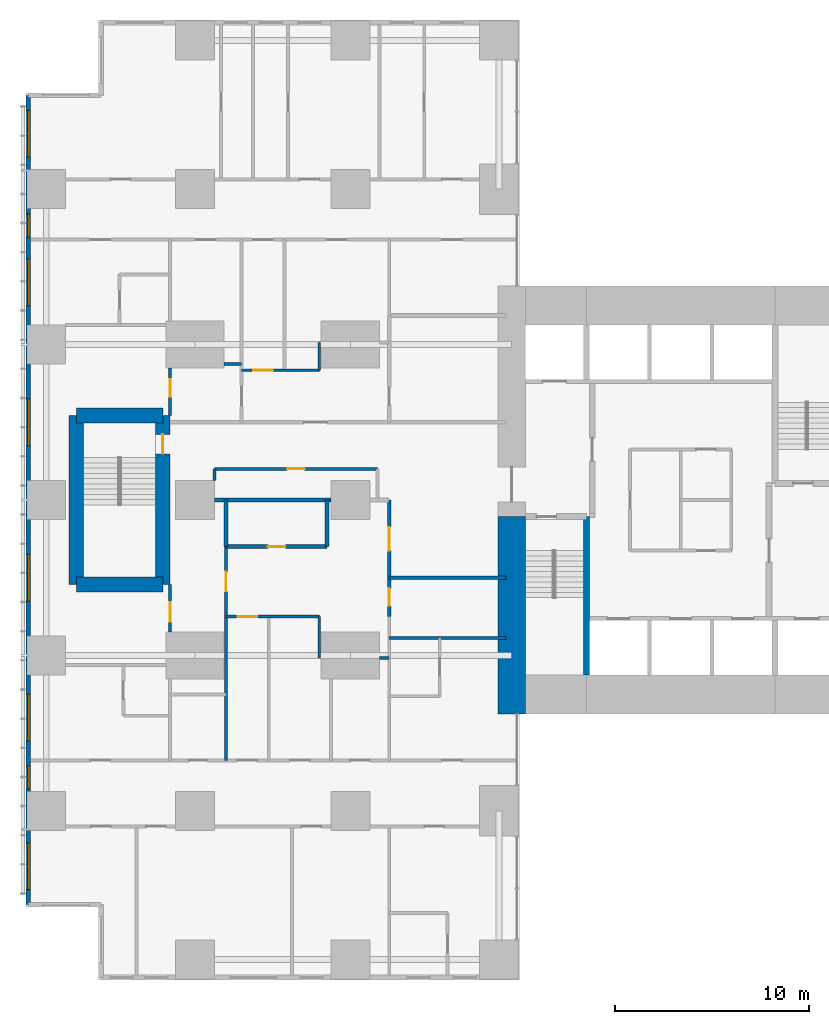
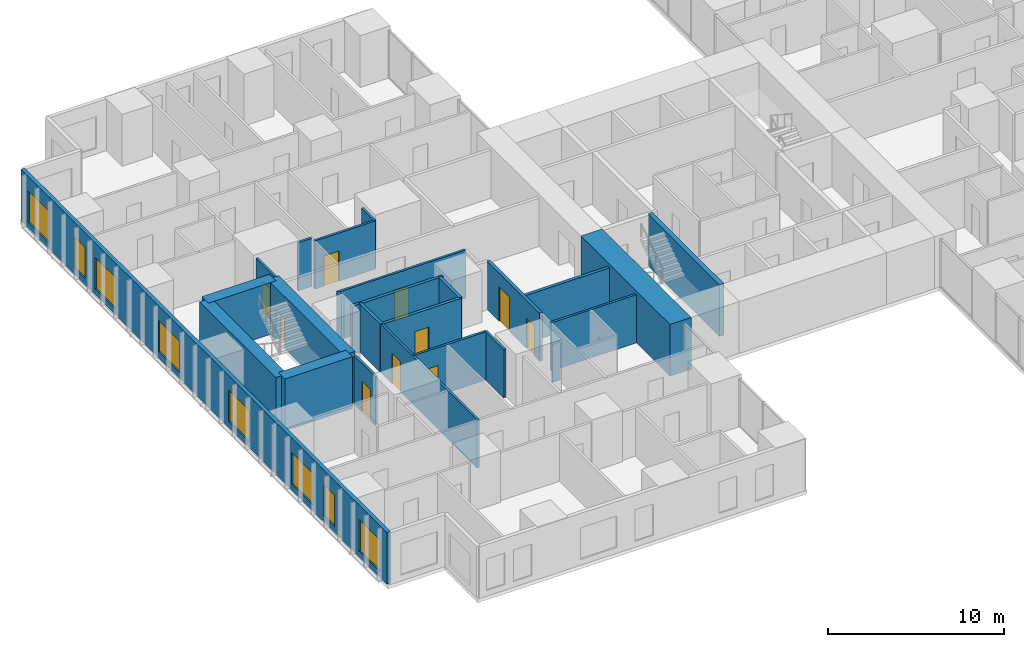
# One storey, part 13 of 21: 25 walls, 10 doors, 8 windows, 18 openings.
"""IFC4 building model written with IfcOpenShell, lengths in metres."""

import ifcopenshell
import ifcopenshell.guid

model = None  # the IFC model being written
_history = None  # IfcOwnerHistory: only IFC2X3 demands one
_inside = {}  # id of a spatial element -> (the spatial element, [elements in it])
_under = {}  # id of a project, library or spatial element -> (it, [spatial elements below it])
_declared = {}  # id of a project -> (the project, [libraries it declares])
_typed = {}  # id of a type object -> (the type object, [elements of that type])
_made_of = {}  # id of a material, layer set ... -> (it, [elements and type objects made of it])


def new_model(schema):
    """Start an empty IFC model of exactly this schema.

    Asked for "IFC4X3", IfcOpenShell would pick the latest addendum, in which some entities
    have other attributes; the version numbers below select the first issue.
    IFC2X3 requires an IfcOwnerHistory on every rooted entity: one is made here for all.
    """
    global model, _history
    if schema == "IFC4X3":
        model = ifcopenshell.file(schema_version=(4, 3, 0, 0))
    else:
        model = ifcopenshell.file(schema=schema)
    _inside.clear()
    _under.clear()
    _declared.clear()
    _typed.clear()
    _made_of.clear()
    _history = None
    if model.schema == "IFC2X3":
        org = make("IfcOrganization", Name="unknown")
        user = make(
            "IfcPersonAndOrganization",
            ThePerson=make("IfcPerson", FamilyName="unknown"),
            TheOrganization=org,
        )
        app = make(
            "IfcApplication",
            ApplicationDeveloper=org,
            Version="unknown",
            ApplicationFullName="unknown",
            ApplicationIdentifier="unknown",
        )
        _history = make(
            "IfcOwnerHistory",
            OwningUser=user,
            OwningApplication=app,
            ChangeAction="ADDED",
            CreationDate=0,
        )
    return model


def make(cls, **values):
    """One entity of the class cls with the attributes given. An attribute that is None is left unset."""
    return model.create_entity(
        cls, **{name: value for name, value in values.items() if value is not None}
    )


def rooted(cls, **values):
    """An entity with a GlobalId (a new one), such as an element, a storey or a relation."""
    return make(cls, GlobalId=ifcopenshell.guid.new(), OwnerHistory=_history, **values)


def si_unit(unit_type, name, prefix=None):
    """IfcSIUnit, for example si_unit("LENGTHUNIT", "METRE", prefix="MILLI")."""
    return make("IfcSIUnit", UnitType=unit_type, Prefix=prefix, Name=name)


def assignment(units):
    """IfcUnitAssignment: the units of a project."""
    return None if units is None else make("IfcUnitAssignment", Units=units)


def point(xyz):
    """IfcCartesianPoint."""
    return None if xyz is None else make("IfcCartesianPoint", Coordinates=xyz)


def direction(xyz):
    """IfcDirection."""
    return None if xyz is None else make("IfcDirection", DirectionRatios=xyz)


def frame(location, z_axis=None, x_axis=None):
    """IfcAxis2Placement3D, a coordinate frame: its origin and axes. An axis left out is left unset."""
    return make(
        "IfcAxis2Placement3D",
        Location=point(location),
        Axis=direction(z_axis),
        RefDirection=direction(x_axis),
    )


def frame_2d(location, x_axis=None):
    """IfcAxis2Placement2D, a coordinate frame in the plane: its origin and x axis."""
    return make(
        "IfcAxis2Placement2D", Location=point(location), RefDirection=direction(x_axis)
    )


def origin():
    """The frame at (0, 0, 0) with its axes left unset."""
    return frame((0.0, 0.0, 0.0))


def place(relative_to, where):
    """IfcLocalPlacement: puts the frame where relative to a parent placement (None: the world)."""
    return make(
        "IfcLocalPlacement", PlacementRelTo=relative_to, RelativePlacement=where
    )


def context(
    kind, dimensions, precision=None, world=None, true_north=None, identifier=None
):
    """IfcGeometricRepresentationContext, for example the 3D "Model" context."""
    return make(
        "IfcGeometricRepresentationContext",
        ContextIdentifier=identifier,
        ContextType=kind,
        CoordinateSpaceDimension=dimensions,
        Precision=precision,
        WorldCoordinateSystem=world,
        TrueNorth=true_north,
    )


def subcontext(parent, identifier, kind, view, scale=None):
    """IfcGeometricRepresentationSubContext, for example "Body" below "Model"."""
    return make(
        "IfcGeometricRepresentationSubContext",
        ContextIdentifier=identifier,
        ContextType=kind,
        ParentContext=parent,
        TargetScale=scale,
        TargetView=view,
    )


def project(units=None, contexts=None):
    """IfcProject with its units and contexts."""
    return rooted(
        "IfcProject",
        Name="project",
        RepresentationContexts=contexts,
        UnitsInContext=assignment(units),
    )


def spatial(cls, under=None, at=None, **own):
    """A site, building, storey or space (cls), placed at a placement, below another one or the project."""
    s = rooted(cls, ObjectPlacement=at, **own)
    if under is not None:
        _under.setdefault(under.id(), (under, []))[1].append(s)
    return s


def profile(cls, at=None, kind="AREA", **sizes):
    """A parametric profile (cls). Its sizes go by their IFC names, for example OverallWidth=200.0."""
    return make(cls, ProfileType=kind, Position=at, **sizes)


def rectangle(**sizes):
    """IfcRectangleProfileDef."""
    return profile("IfcRectangleProfileDef", **sizes)


def extrude(swept, where, along, depth):
    """IfcExtrudedAreaSolid: the profile swept, set in the frame where, extruded along a direction by depth."""
    return make(
        "IfcExtrudedAreaSolid",
        SweptArea=swept,
        Position=where,
        ExtrudedDirection=direction(along),
        Depth=depth,
    )


def shape(context_of_items, identifier, shape_type, items):
    """IfcShapeRepresentation: the items that make up one representation, for example the "Body"."""
    return make(
        "IfcShapeRepresentation",
        ContextOfItems=context_of_items,
        RepresentationIdentifier=identifier,
        RepresentationType=shape_type,
        Items=items,
    )


def material(Name=None, Category=None):
    """IfcMaterial."""
    return make("IfcMaterial", Name=Name, Category=Category)


def layer(
    of_material, thickness, ventilated=None, Name=None, Category=None, Priority=None
):
    """IfcMaterialLayer: one layer of a wall or slab, of a material (None: an air gap)."""
    return make(
        "IfcMaterialLayer",
        Material=of_material,
        LayerThickness=thickness,
        IsVentilated=ventilated,
        Name=Name,
        Category=Category,
        Priority=Priority,
    )


def layer_set(layers, Name=None):
    """IfcMaterialLayerSet."""
    return make("IfcMaterialLayerSet", MaterialLayers=layers, LayerSetName=Name)


def made_of(thing, what):
    """Note that an element or type object is made of a material, layer set ...; save() writes the relation."""
    if what is not None:
        _made_of.setdefault(what.id(), (what, []))[1].append(thing)
    return thing


def type_object(cls, material=None, **own):
    """A type object (cls), such as IfcWallType, which elements share."""
    return made_of(rooted(cls, **own), material)


def element(
    cls,
    number,
    at=None,
    inside=None,
    cuts=None,
    type_object=None,
    material=None,
    context=None,
    identifier="Body",
    shape_type=None,
    held_by="IfcProductDefinitionShape",
    body=None,
    shapes=None,
    **own,
):
    """One element of the class cls, such as IfcWall. Its Tag is "e" and its number.

    at: its placement. inside: the storey or other place that contains it. cuts: it is an
    opening in that element (IfcRelVoidsElement). A single representation is given by context,
    identifier, shape_type and body (its items); several are given by shapes. held_by: the class
    of the entity that holds the representations. save() writes the other relations.
    """
    e = rooted(cls, Tag="e%d" % number, ObjectPlacement=at, **own)
    if body is not None:
        shapes = [shape(context, identifier, shape_type, body)]
    if shapes is not None:
        e.Representation = make(held_by, Representations=shapes)
    if inside is not None:
        _inside.setdefault(inside.id(), (inside, []))[1].append(e)
    if cuts is not None:
        rooted(
            "IfcRelVoidsElement", RelatingBuildingElement=cuts, RelatedOpeningElement=e
        )
    if type_object is not None:
        _typed.setdefault(type_object.id(), (type_object, []))[1].append(e)
    return made_of(e, material)


def fill(opening, filler):
    """IfcRelFillsElement: the door or window that sits in an opening."""
    return rooted(
        "IfcRelFillsElement",
        RelatingOpeningElement=opening,
        RelatedBuildingElement=filler,
    )


def aggregate(whole, parts):
    """IfcRelAggregates: a whole, such as a stair, and the parts it consists of."""
    return rooted("IfcRelAggregates", RelatingObject=whole, RelatedObjects=parts)


def save(model, path):
    """Write the relations noted so far, then the file.

    IfcRelAggregates (storeys below a building ...), IfcRelContainedInSpatialStructure (elements
    in a storey), IfcRelDefinesByType, IfcRelAssociatesMaterial and IfcRelDeclares: one each for
    every whole, place, type object, material and project.
    """
    for whole, parts in _under.values():
        aggregate(whole, parts)
    for where, things in _inside.values():
        rooted(
            "IfcRelContainedInSpatialStructure",
            RelatedElements=things,
            RelatingStructure=where,
        )
    for kind, things in _typed.values():
        rooted("IfcRelDefinesByType", RelatedObjects=things, RelatingType=kind)
    for what, things in _made_of.values():
        rooted("IfcRelAssociatesMaterial", RelatedObjects=things, RelatingMaterial=what)
    for by, libraries in _declared.values():
        rooted("IfcRelDeclares", RelatingContext=by, RelatedDefinitions=libraries)
    model.write(path)


model = new_model("IFC4")

# Units and contexts
model_context = context("Model", 3, precision=1e-05, world=origin(), true_north=direction((0.0, 1.0)))
body_context = subcontext(model_context, "Body", "Model", "MODEL_VIEW")
ifc_project = project(units=[si_unit("LENGTHUNIT", "METRE"), si_unit("AREAUNIT", "SQUARE_METRE"), si_unit("VOLUMEUNIT", "CUBIC_METRE"), si_unit("PLANEANGLEUNIT", "RADIAN"), si_unit("MASSUNIT", "GRAM", prefix="KILO")], contexts=[model_context])

# Site, building, storey
site_placement = place(None, origin())
site = spatial("IfcSite", under=ifc_project, at=site_placement, CompositionType="ELEMENT")
building_placement = place(site_placement, origin())
building = spatial("IfcBuilding", under=site, at=building_placement, Name="Cleftline Residences", CompositionType="ELEMENT")
storey_placement = place(building_placement, frame((0.0, 0.0, 161.0)))
storey = spatial("IfcBuildingStorey", under=building, at=storey_placement, Name="L42", CompositionType="ELEMENT", Elevation=161.0)

# Walls
ifc_material_1 = material(Name="Concrete B70", Category="concrete")
ifc_layer_1 = layer(ifc_material_1, 1.39990234375)
ifc_layer_set_1 = layer_set([ifc_layer_1], Name="CORE WALL 1400")
wall_type_1 = type_object("IfcWallType", Name="CORE WALL 1400", PredefinedType="SHEAR", material=ifc_layer_set_1)
wall_1_placement = place(storey_placement, frame((24.300048828125, 13.0, 0.0), z_axis=(0.0, 0.0, 1.0), x_axis=(0.0, 1.0, 0.0)))
element("IfcWall", 1, at=wall_1_placement, inside=storey, type_object=wall_type_1, Name="Core wall W0", PredefinedType="SHEAR", context=body_context, shape_type="SweptSolid", body=[
    extrude(rectangle(XDim=10.14990234375, YDim=1.39990234375, at=frame_2d((5.074951171875, 0.0))), origin(), (0.0, 0.0, 1.0), 3.60009765625),
])
ifc_material_2 = material(Name="Concrete B70", Category="concrete")
ifc_layer_2 = layer(ifc_material_2, 0.300048828125)
ifc_layer_set_2 = layer_set([ifc_layer_2], Name="CORE WALL 300")
wall_type_2 = type_object("IfcWallType", Name="CORE WALL 300", PredefinedType="SHEAR", material=ifc_layer_set_2)
wall_2_placement = place(storey_placement, frame((28.14990234375, 15.0, 0.0), z_axis=(0.0, 0.0, 1.0), x_axis=(0.0, 1.0, 0.0)))
element("IfcWall", 2, at=wall_2_placement, inside=storey, type_object=wall_type_2, Name="Core wall SA-E", PredefinedType="SHEAR", context=body_context, shape_type="SweptSolid", body=[
    extrude(rectangle(XDim=8.14990234375, YDim=0.300048828125, at=frame_2d((4.074951171875, 0.0))), origin(), (0.0, 0.0, 1.0), 3.60009765625),
])

# Wall, openings, windows
ifc_material_3 = material(Name="Rendered reinforced concrete blockwork", Category="masonry")
ifc_layer_3 = layer(ifc_material_3, 0.25)
ifc_layer_set_3 = layer_set([ifc_layer_3], Name="EXTERNAL WALL 250")
wall_type_3 = type_object("IfcWallType", Name="EXTERNAL WALL 250", PredefinedType="SOLIDWALL", material=ifc_layer_set_3)
wall_3_placement = place(storey_placement, frame((-0.574951171875, 44.824951171875, 0.0), z_axis=(0.0, 0.0, 1.0), x_axis=(0.0, -1.0, 0.0)))
wall_3 = element("IfcWall", 3, at=wall_3_placement, inside=storey, type_object=wall_type_3, Name="External wall", PredefinedType="SOLIDWALL", context=body_context, shape_type="SweptSolid", body=[
    extrude(rectangle(XDim=41.64990234375, YDim=0.25, at=frame_2d((20.824951171875, 0.0))), origin(), (0.0, 0.0, 1.0), 3.60009765625),
])
opening_1_placement = place(wall_3_placement, frame((0.77490234375, 0.0, 0.39990234375)))
opening_1 = element("IfcOpeningElement", 4, at=opening_1_placement, cuts=wall_3, Name="Opening W12", PredefinedType="OPENING", context=body_context, shape_type="SweptSolid", body=[
    extrude(rectangle(XDim=2.39990234375, YDim=2.199951171875, at=frame_2d((1.199951171875, 1.10009765625))), frame((0.0, 0.135009765625, 0.0), z_axis=(0.0, -1.0, 0.0), x_axis=(1.0, 0.0, 0.0)), (0.0, 0.0, 1.0), 0.27001953125),
])
opening_2_placement = place(wall_3_placement, frame((6.10009765625, 0.0, 0.39990234375)))
opening_2 = element("IfcOpeningElement", 5, at=opening_2_placement, cuts=wall_3, Name="Opening W11", PredefinedType="OPENING", context=body_context, shape_type="SweptSolid", body=[
    extrude(rectangle(XDim=1.199951171875, YDim=2.199951171875, at=frame_2d((0.60009765625, 1.10009765625))), frame((0.0, 0.135009765625, 0.0), z_axis=(0.0, -1.0, 0.0), x_axis=(1.0, 0.0, 0.0)), (0.0, 0.0, 1.0), 0.27001953125),
])
opening_3_placement = place(wall_3_placement, frame((8.425048828125, 0.0, 0.39990234375)))
opening_3 = element("IfcOpeningElement", 6, at=opening_3_placement, cuts=wall_3, Name="Opening W12", PredefinedType="OPENING", context=body_context, shape_type="SweptSolid", body=[
    extrude(rectangle(XDim=2.39990234375, YDim=2.199951171875, at=frame_2d((1.199951171875, 1.10009765625))), frame((0.0, 0.135009765625, 0.0), z_axis=(0.0, -1.0, 0.0), x_axis=(1.0, 0.0, 0.0)), (0.0, 0.0, 1.0), 0.27001953125),
])
opening_4_placement = place(wall_3_placement, frame((15.625, 0.0, 0.39990234375)))
opening_4 = element("IfcOpeningElement", 7, at=opening_4_placement, cuts=wall_3, Name="Opening W12", PredefinedType="OPENING", context=body_context, shape_type="SweptSolid", body=[
    extrude(rectangle(XDim=2.39990234375, YDim=2.199951171875, at=frame_2d((1.199951171875, 1.10009765625))), frame((0.0, 0.135009765625, 0.0), z_axis=(0.0, -1.0, 0.0), x_axis=(1.0, 0.0, 0.0)), (0.0, 0.0, 1.0), 0.27001953125),
])
opening_5_placement = place(wall_3_placement, frame((23.625, 0.0, 0.39990234375)))
opening_5 = element("IfcOpeningElement", 8, at=opening_5_placement, cuts=wall_3, Name="Opening W12", PredefinedType="OPENING", context=body_context, shape_type="SweptSolid", body=[
    extrude(rectangle(XDim=2.39990234375, YDim=2.199951171875, at=frame_2d((1.199951171875, 1.10009765625))), frame((0.0, 0.135009765625, 0.0), z_axis=(0.0, -1.0, 0.0), x_axis=(1.0, 0.0, 0.0)), (0.0, 0.0, 1.0), 0.27001953125),
])
opening_6_placement = place(wall_3_placement, frame((30.824951171875, 0.0, 0.39990234375)))
opening_6 = element("IfcOpeningElement", 9, at=opening_6_placement, cuts=wall_3, Name="Opening W12", PredefinedType="OPENING", context=body_context, shape_type="SweptSolid", body=[
    extrude(rectangle(XDim=2.39990234375, YDim=2.199951171875, at=frame_2d((1.199951171875, 1.10009765625))), frame((0.0, 0.135009765625, 0.0), z_axis=(0.0, -1.0, 0.0), x_axis=(1.0, 0.0, 0.0)), (0.0, 0.0, 1.0), 0.27001953125),
])
opening_7_placement = place(wall_3_placement, frame((34.5, 0.0, 0.39990234375)))
opening_7 = element("IfcOpeningElement", 10, at=opening_7_placement, cuts=wall_3, Name="Opening W11", PredefinedType="OPENING", context=body_context, shape_type="SweptSolid", body=[
    extrude(rectangle(XDim=1.199951171875, YDim=2.199951171875, at=frame_2d((0.60009765625, 1.10009765625))), frame((0.0, 0.135009765625, 0.0), z_axis=(0.0, -1.0, 0.0), x_axis=(1.0, 0.0, 0.0)), (0.0, 0.0, 1.0), 0.27001953125),
])
opening_8_placement = place(wall_3_placement, frame((38.47509765625, 0.0, 0.39990234375)))
opening_8 = element("IfcOpeningElement", 11, at=opening_8_placement, cuts=wall_3, Name="Opening W12", PredefinedType="OPENING", context=body_context, shape_type="SweptSolid", body=[
    extrude(rectangle(XDim=2.39990234375, YDim=2.199951171875, at=frame_2d((1.199951171875, 1.10009765625))), frame((0.0, 0.135009765625, 0.0), z_axis=(0.0, -1.0, 0.0), x_axis=(1.0, 0.0, 0.0)), (0.0, 0.0, 1.0), 0.27001953125),
])
ifc_material_4 = material(Name="Aluminium frame, clear double glazing", Category="aluminium")
window_type_1 = type_object("IfcWindowType", Name="WINDOW 1200X2200", PartitioningType="DOUBLE_PANEL_VERTICAL", PredefinedType="WINDOW", material=ifc_material_4)
window_1_placement = place(opening_2_placement, origin())
window_1 = element("IfcWindow", 12, at=window_1_placement, inside=storey, type_object=window_type_1, Name="Window", OverallHeight=2.199951171875, OverallWidth=1.199951171875, PartitioningType="SINGLE_PANEL", PredefinedType="WINDOW", context=body_context, shape_type="SweptSolid", body=[
    extrude(rectangle(XDim=1.199951171875, YDim=2.199951171875, at=frame_2d((0.60009765625, 1.10009765625))), frame((0.0, 0.030029296875, 0.0), z_axis=(0.0, -1.0, 0.0), x_axis=(1.0, 0.0, 0.0)), (0.0, 0.0, 1.0), 0.06005859375),
])
fill(opening_2, window_1)
window_2_placement = place(opening_7_placement, origin())
window_2 = element("IfcWindow", 13, at=window_2_placement, inside=storey, type_object=window_type_1, Name="Window", OverallHeight=2.199951171875, OverallWidth=1.199951171875, PartitioningType="SINGLE_PANEL", PredefinedType="WINDOW", context=body_context, shape_type="SweptSolid", body=[
    extrude(rectangle(XDim=1.199951171875, YDim=2.199951171875, at=frame_2d((0.60009765625, 1.10009765625))), frame((0.0, 0.030029296875, 0.0), z_axis=(0.0, -1.0, 0.0), x_axis=(1.0, 0.0, 0.0)), (0.0, 0.0, 1.0), 0.06005859375),
])
fill(opening_7, window_2)
ifc_material_5 = material(Name="Aluminium frame, clear double glazing", Category="aluminium")
window_type_2 = type_object("IfcWindowType", Name="WINDOW 2400X2200", PartitioningType="DOUBLE_PANEL_VERTICAL", PredefinedType="WINDOW", material=ifc_material_5)
window_3_placement = place(opening_1_placement, origin())
window_3 = element("IfcWindow", 14, at=window_3_placement, inside=storey, type_object=window_type_2, Name="Window", OverallHeight=2.199951171875, OverallWidth=2.39990234375, PartitioningType="SINGLE_PANEL", PredefinedType="WINDOW", context=body_context, shape_type="SweptSolid", body=[
    extrude(rectangle(XDim=2.39990234375, YDim=2.199951171875, at=frame_2d((1.199951171875, 1.10009765625))), frame((0.0, 0.030029296875, 0.0), z_axis=(0.0, -1.0, 0.0), x_axis=(1.0, 0.0, 0.0)), (0.0, 0.0, 1.0), 0.06005859375),
])
fill(opening_1, window_3)
window_4_placement = place(opening_3_placement, origin())
window_4 = element("IfcWindow", 15, at=window_4_placement, inside=storey, type_object=window_type_2, Name="Window", OverallHeight=2.199951171875, OverallWidth=2.39990234375, PartitioningType="SINGLE_PANEL", PredefinedType="WINDOW", context=body_context, shape_type="SweptSolid", body=[
    extrude(rectangle(XDim=2.39990234375, YDim=2.199951171875, at=frame_2d((1.199951171875, 1.10009765625))), frame((0.0, 0.030029296875, 0.0), z_axis=(0.0, -1.0, 0.0), x_axis=(1.0, 0.0, 0.0)), (0.0, 0.0, 1.0), 0.06005859375),
])
fill(opening_3, window_4)
window_5_placement = place(opening_4_placement, origin())
window_5 = element("IfcWindow", 16, at=window_5_placement, inside=storey, type_object=window_type_2, Name="Window", OverallHeight=2.199951171875, OverallWidth=2.39990234375, PartitioningType="SINGLE_PANEL", PredefinedType="WINDOW", context=body_context, shape_type="SweptSolid", body=[
    extrude(rectangle(XDim=2.39990234375, YDim=2.199951171875, at=frame_2d((1.199951171875, 1.10009765625))), frame((0.0, 0.030029296875, 0.0), z_axis=(0.0, -1.0, 0.0), x_axis=(1.0, 0.0, 0.0)), (0.0, 0.0, 1.0), 0.06005859375),
])
fill(opening_4, window_5)
window_6_placement = place(opening_5_placement, origin())
window_6 = element("IfcWindow", 17, at=window_6_placement, inside=storey, type_object=window_type_2, Name="Window", OverallHeight=2.199951171875, OverallWidth=2.39990234375, PartitioningType="SINGLE_PANEL", PredefinedType="WINDOW", context=body_context, shape_type="SweptSolid", body=[
    extrude(rectangle(XDim=2.39990234375, YDim=2.199951171875, at=frame_2d((1.199951171875, 1.10009765625))), frame((0.0, 0.030029296875, 0.0), z_axis=(0.0, -1.0, 0.0), x_axis=(1.0, 0.0, 0.0)), (0.0, 0.0, 1.0), 0.06005859375),
])
fill(opening_5, window_6)
window_7_placement = place(opening_6_placement, origin())
window_7 = element("IfcWindow", 18, at=window_7_placement, inside=storey, type_object=window_type_2, Name="Window", OverallHeight=2.199951171875, OverallWidth=2.39990234375, PartitioningType="SINGLE_PANEL", PredefinedType="WINDOW", context=body_context, shape_type="SweptSolid", body=[
    extrude(rectangle(XDim=2.39990234375, YDim=2.199951171875, at=frame_2d((1.199951171875, 1.10009765625))), frame((0.0, 0.030029296875, 0.0), z_axis=(0.0, -1.0, 0.0), x_axis=(1.0, 0.0, 0.0)), (0.0, 0.0, 1.0), 0.06005859375),
])
fill(opening_6, window_7)
window_8_placement = place(opening_8_placement, origin())
window_8 = element("IfcWindow", 19, at=window_8_placement, inside=storey, type_object=window_type_2, Name="Window", OverallHeight=2.199951171875, OverallWidth=2.39990234375, PartitioningType="SINGLE_PANEL", PredefinedType="WINDOW", context=body_context, shape_type="SweptSolid", body=[
    extrude(rectangle(XDim=2.39990234375, YDim=2.199951171875, at=frame_2d((1.199951171875, 1.10009765625))), frame((0.0, 0.030029296875, 0.0), z_axis=(0.0, -1.0, 0.0), x_axis=(1.0, 0.0, 0.0)), (0.0, 0.0, 1.0), 0.06005859375),
])
fill(opening_8, window_8)

# Wall
ifc_material_6 = material(Name="Concrete blockwork, fire rated", Category="masonry")
ifc_layer_4 = layer(ifc_material_6, 0.199951171875)
ifc_layer_set_4 = layer_set([ifc_layer_4], Name="FIRE WALL 200")
wall_type_4 = type_object("IfcWallType", Name="FIRE WALL 200", PredefinedType="PARTITIONING", material=ifc_layer_set_4)
wall_4_placement = place(storey_placement, frame((18.0, 20.0, 0.0), z_axis=(0.0, 0.0, 1.0), x_axis=(1.0, 0.0, 0.0)))
element("IfcWall", 20, at=wall_4_placement, inside=storey, type_object=wall_type_4, Name="Fire separating wall", PredefinedType="PARTITIONING", context=body_context, shape_type="SweptSolid", body=[
    extrude(rectangle(XDim=6.0, YDim=0.199951171875, at=frame_2d((3.0, 0.0))), origin(), (0.0, 0.0, 1.0), 3.35009765625),
])

# Wall, opening, door
wall_5_placement = place(storey_placement, frame((9.60009765625, 21.60009765625, 0.0), z_axis=(0.0, 0.0, 1.0), x_axis=(1.0, 0.0, 0.0)))
wall_5 = element("IfcWall", 21, at=wall_5_placement, inside=storey, type_object=wall_type_4, Name="Fire separating wall", PredefinedType="PARTITIONING", context=body_context, shape_type="SweptSolid", body=[
    extrude(rectangle(XDim=5.199951171875, YDim=0.199951171875, at=frame_2d((2.60009765625, 0.0))), origin(), (0.0, 0.0, 1.0), 3.35009765625),
])
opening_9_placement = place(wall_5_placement, frame((2.14990234375, 0.0, 0.0)))
opening_9 = element("IfcOpeningElement", 22, at=opening_9_placement, cuts=wall_5, Name="Opening D1F30", PredefinedType="OPENING", context=body_context, shape_type="SweptSolid", body=[
    extrude(rectangle(XDim=0.89990234375, YDim=2.10009765625, at=frame_2d((0.449951171875, 1.050048828125))), frame((0.0, 0.10986328125, 0.0), z_axis=(0.0, -1.0, 0.0), x_axis=(1.0, 0.0, 0.0)), (0.0, 0.0, 1.0), 0.219970703125),
])
ifc_material_7 = material(Name="Timber veneer on solid core", Category="wood")
door_type_1 = type_object("IfcDoorType", Name="DOOR 900X2100 EI 30", OperationType="SINGLE_SWING_LEFT", PredefinedType="DOOR", material=ifc_material_7)
door_1_placement = place(opening_9_placement, origin())
door_1 = element("IfcDoor", 23, at=door_1_placement, inside=storey, type_object=door_type_1, Name="Door to cloakroom wc", OperationType="SINGLE_SWING_LEFT", OverallHeight=2.10009765625, OverallWidth=0.89990234375, PredefinedType="DOOR", context=body_context, shape_type="SweptSolid", body=[
    extrude(rectangle(XDim=0.89990234375, YDim=2.10009765625, at=frame_2d((0.449951171875, 1.050048828125))), frame((0.0, 0.02490234375, 0.0), z_axis=(0.0, -1.0, 0.0), x_axis=(1.0, 0.0, 0.0)), (0.0, 0.0, 1.0), 0.050048828125),
])
fill(opening_9, door_1)

# Walls
wall_6_placement = place(storey_placement, frame((9.0, 24.0, 0.0), z_axis=(0.0, 0.0, 1.0), x_axis=(1.0, 0.0, 0.0)))
element("IfcWall", 24, at=wall_6_placement, inside=storey, type_object=wall_type_4, Name="Fire separating wall", PredefinedType="PARTITIONING", context=body_context, shape_type="SweptSolid", body=[
    extrude(rectangle(XDim=6.0, YDim=0.199951171875, at=frame_2d((3.0, 0.0))), origin(), (0.0, 0.0, 1.0), 3.35009765625),
])
for number, where, z_axis, x_axis, name in (
    (25, (9.60009765625, 21.60009765625, 0.0), (0.0, 0.0, 1.0), (0.0, 1.0, 0.0), "Fire separating wall"),
    (26, (14.800048828125, 21.60009765625, 0.0), (0.0, 0.0, 1.0), (0.0, 1.0, 0.0), "Fire separating wall"),
):
    element("IfcWall", number, at=place(storey_placement, frame(where, z_axis=z_axis, x_axis=x_axis)), inside=storey, type_object=wall_type_4, Name=name, PredefinedType="PARTITIONING", context=body_context, shape_type="SweptSolid", body=[
        extrude(rectangle(XDim=2.39990234375, YDim=0.199951171875, at=frame_2d((1.199951171875, 0.0))), origin(), (0.0, 0.0, 1.0), 3.35009765625),
    ])

# Wall, openings, doors
wall_7_placement = place(storey_placement, frame((18.0, 18.0, 0.0), z_axis=(0.0, 0.0, 1.0), x_axis=(0.0, 1.0, 0.0)))
wall_7 = element("IfcWall", 27, at=wall_7_placement, inside=storey, type_object=wall_type_4, Name="Fire separating wall", PredefinedType="PARTITIONING", context=body_context, shape_type="SweptSolid", body=[
    extrude(rectangle(XDim=6.0, YDim=0.199951171875, at=frame_2d((3.0, 0.0))), origin(), (0.0, 0.0, 1.0), 3.35009765625),
])
opening_10_placement = place(wall_7_placement, frame((3.39990234375, 0.0, 0.0)))
opening_10 = element("IfcOpeningElement", 28, at=opening_10_placement, cuts=wall_7, Name="Opening D4", PredefinedType="OPENING", context=body_context, shape_type="SweptSolid", body=[
    extrude(rectangle(XDim=1.199951171875, YDim=2.39990234375, at=frame_2d((0.60009765625, 1.199951171875))), frame((0.0, 0.10986328125, 0.0), z_axis=(0.0, -1.0, 0.0), x_axis=(1.0, 0.0, 0.0)), (0.0, 0.0, 1.0), 0.219970703125),
])
opening_11_placement = place(wall_7_placement, frame((0.550048828125, 0.0, 0.0)))
opening_11 = element("IfcOpeningElement", 29, at=opening_11_placement, cuts=wall_7, Name="Opening D1F30", PredefinedType="OPENING", context=body_context, shape_type="SweptSolid", body=[
    extrude(rectangle(XDim=0.89990234375, YDim=2.10009765625, at=frame_2d((0.449951171875, 1.050048828125))), frame((0.0, 0.10986328125, 0.0), z_axis=(0.0, -1.0, 0.0), x_axis=(1.0, 0.0, 0.0)), (0.0, 0.0, 1.0), 0.219970703125),
])
ifc_material_8 = material(Name="Timber veneer on solid core", Category="wood")
door_type_2 = type_object("IfcDoorType", Name="APARTMENT ENTRANCE DOOR 1200X2400", OperationType="SINGLE_SWING_RIGHT", PredefinedType="DOOR", material=ifc_material_8)
door_2_placement = place(opening_10_placement, origin())
door_2 = element("IfcDoor", 30, at=door_2_placement, inside=storey, type_object=door_type_2, Name="Door to residence entrance foyer", OperationType="SINGLE_SWING_LEFT", OverallHeight=2.39990234375, OverallWidth=1.199951171875, PredefinedType="DOOR", context=body_context, shape_type="SweptSolid", body=[
    extrude(rectangle(XDim=1.199951171875, YDim=2.39990234375, at=frame_2d((0.60009765625, 1.199951171875))), frame((0.0, 0.02490234375, 0.0), z_axis=(0.0, -1.0, 0.0), x_axis=(1.0, 0.0, 0.0)), (0.0, 0.0, 1.0), 0.050048828125),
])
fill(opening_10, door_2)
door_3_placement = place(opening_11_placement, origin())
door_3 = element("IfcDoor", 31, at=door_3_placement, inside=storey, type_object=door_type_1, Name="Door to laundry", OperationType="SINGLE_SWING_RIGHT", OverallHeight=2.10009765625, OverallWidth=0.89990234375, PredefinedType="DOOR", context=body_context, shape_type="SweptSolid", body=[
    extrude(rectangle(XDim=0.89990234375, YDim=2.10009765625, at=frame_2d((0.449951171875, 1.050048828125))), frame((0.0, 0.02490234375, 0.0), z_axis=(0.0, -1.0, 0.0), x_axis=(1.0, 0.0, 0.0)), (0.0, 0.0, 1.0), 0.050048828125),
])
fill(opening_11, door_3)

# Walls
ifc_material_9 = material(Name="Gypsum board on steel studs", Category="steel")
ifc_layer_5 = layer(ifc_material_9, 0.14990234375)
ifc_layer_set_5 = layer_set([ifc_layer_5], Name="PARTITION 150")
wall_type_5 = type_object("IfcWallType", Name="PARTITION 150", PredefinedType="PARTITIONING", material=ifc_layer_set_5)
wall_8_placement = place(storey_placement, frame((17.5, 15.875, 0.0), z_axis=(0.0, 0.0, 1.0), x_axis=(1.0, 0.0, 0.0)))
element("IfcWall", 32, at=wall_8_placement, inside=storey, type_object=wall_type_5, Name="Partition", PredefinedType="PARTITIONING", context=body_context, shape_type="SweptSolid", body=[
    extrude(rectangle(XDim=0.5, YDim=0.14990234375, at=frame_2d((0.25, 0.0))), origin(), (0.0, 0.0, 1.0), 2.634033203125),
])
wall_9_placement = place(storey_placement, frame((18.0, 16.89990234375, 0.0), z_axis=(0.0, 0.0, 1.0), x_axis=(1.0, 0.0, 0.0)))
element("IfcWall", 33, at=wall_9_placement, inside=storey, type_object=wall_type_5, Name="Partition", PredefinedType="PARTITIONING", context=body_context, shape_type="SweptSolid", body=[
    extrude(rectangle(XDim=6.0, YDim=0.14990234375, at=frame_2d((3.0, 0.0))), origin(), (0.0, 0.0, 1.0), 3.35009765625),
])

# Wall, opening, door
wall_10_placement = place(storey_placement, frame((9.60009765625, 18.0, 0.0), z_axis=(0.0, 0.0, 1.0), x_axis=(1.0, 0.0, 0.0)))
wall_10 = element("IfcWall", 34, at=wall_10_placement, inside=storey, type_object=wall_type_5, Name="Partition", PredefinedType="PARTITIONING", context=body_context, shape_type="SweptSolid", body=[
    extrude(rectangle(XDim=4.7998046875, YDim=0.14990234375, at=frame_2d((2.39990234375, 0.0))), origin(), (0.0, 0.0, 1.0), 3.35009765625),
])
opening_12_placement = place(wall_10_placement, frame((0.60009765625, 0.0, 0.0)))
opening_12 = element("IfcOpeningElement", 35, at=opening_12_placement, cuts=wall_10, Name="Opening D2", PredefinedType="OPENING", context=body_context, shape_type="SweptSolid", body=[
    extrude(rectangle(XDim=1.0, YDim=2.10009765625, at=frame_2d((0.5, 1.050048828125))), frame((0.0, 0.0849609375, 0.0), z_axis=(0.0, -1.0, 0.0), x_axis=(1.0, 0.0, 0.0)), (0.0, 0.0, 1.0), 0.169921875),
])
ifc_material_10 = material(Name="Timber veneer on solid core", Category="wood")
door_type_3 = type_object("IfcDoorType", Name="DOOR 1000X2100", OperationType="SINGLE_SWING_LEFT", PredefinedType="DOOR", material=ifc_material_10)
door_4_placement = place(opening_12_placement, origin())
door_4 = element("IfcDoor", 36, at=door_4_placement, inside=storey, type_object=door_type_3, Name="Door to residence passage", OperationType="SINGLE_SWING_RIGHT", OverallHeight=2.10009765625, OverallWidth=1.0, PredefinedType="DOOR", context=body_context, shape_type="SweptSolid", body=[
    extrude(rectangle(XDim=1.0, YDim=2.10009765625, at=frame_2d((0.5, 1.050048828125))), frame((0.0, 0.02490234375, 0.0), z_axis=(0.0, -1.0, 0.0), x_axis=(1.0, 0.0, 0.0)), (0.0, 0.0, 1.0), 0.050048828125),
])
fill(opening_12, door_4)

wall_11_placement = place(storey_placement, frame((9.0, 25.60009765625, 0.0), z_axis=(0.0, 0.0, 1.0), x_axis=(1.0, 0.0, 0.0)))
wall_11 = element("IfcWall", 37, at=wall_11_placement, inside=storey, type_object=wall_type_5, Name="Partition", PredefinedType="PARTITIONING", context=body_context, shape_type="SweptSolid", body=[
    extrude(rectangle(XDim=8.39990234375, YDim=0.14990234375, at=frame_2d((4.199951171875, 0.0))), origin(), (0.0, 0.0, 1.0), 3.35009765625),
])
opening_13_placement = place(wall_11_placement, frame((3.75, 0.0, 0.0)))
opening_13 = element("IfcOpeningElement", 38, at=opening_13_placement, cuts=wall_11, Name="Opening D1", PredefinedType="OPENING", context=body_context, shape_type="SweptSolid", body=[
    extrude(rectangle(XDim=0.89990234375, YDim=2.10009765625, at=frame_2d((0.449951171875, 1.050048828125))), frame((0.0, 0.0849609375, 0.0), z_axis=(0.0, -1.0, 0.0), x_axis=(1.0, 0.0, 0.0)), (0.0, 0.0, 1.0), 0.169921875),
])
ifc_material_11 = material(Name="Timber veneer on solid core", Category="wood")
door_type_4 = type_object("IfcDoorType", Name="DOOR 900X2100", OperationType="SINGLE_SWING_LEFT", PredefinedType="DOOR", material=ifc_material_11)
door_5_placement = place(opening_13_placement, origin())
door_5 = element("IfcDoor", 39, at=door_5_placement, inside=storey, type_object=door_type_4, Name="Door to residents' locker room", OperationType="SINGLE_SWING_LEFT", OverallHeight=2.10009765625, OverallWidth=0.89990234375, PredefinedType="DOOR", context=body_context, shape_type="SweptSolid", body=[
    extrude(rectangle(XDim=0.89990234375, YDim=2.10009765625, at=frame_2d((0.449951171875, 1.050048828125))), frame((0.0, 0.02490234375, 0.0), z_axis=(0.0, -1.0, 0.0), x_axis=(1.0, 0.0, 0.0)), (0.0, 0.0, 1.0), 0.050048828125),
])
fill(opening_13, door_5)

wall_12_placement = place(storey_placement, frame((10.39990234375, 30.675048828125, 0.0), z_axis=(0.0, 0.0, 1.0), x_axis=(1.0, 0.0, 0.0)))
wall_12 = element("IfcWall", 40, at=wall_12_placement, inside=storey, type_object=wall_type_5, Name="Partition", PredefinedType="PARTITIONING", context=body_context, shape_type="SweptSolid", body=[
    extrude(rectangle(XDim=4.0, YDim=0.14990234375, at=frame_2d((2.0, 0.0))), origin(), (0.0, 0.0, 1.0), 3.35009765625),
])
opening_14_placement = place(wall_12_placement, frame((0.60009765625, 0.0, 0.0)))
opening_14 = element("IfcOpeningElement", 41, at=opening_14_placement, cuts=wall_12, Name="Opening D2", PredefinedType="OPENING", context=body_context, shape_type="SweptSolid", body=[
    extrude(rectangle(XDim=1.0, YDim=2.10009765625, at=frame_2d((0.5, 1.050048828125))), frame((0.0, 0.0849609375, 0.0), z_axis=(0.0, -1.0, 0.0), x_axis=(1.0, 0.0, 0.0)), (0.0, 0.0, 1.0), 0.169921875),
])
door_6_placement = place(opening_14_placement, origin())
door_6 = element("IfcDoor", 42, at=door_6_placement, inside=storey, type_object=door_type_3, Name="Door to residence passage", OperationType="SINGLE_SWING_RIGHT", OverallHeight=2.10009765625, OverallWidth=1.0, PredefinedType="DOOR", context=body_context, shape_type="SweptSolid", body=[
    extrude(rectangle(XDim=1.0, YDim=2.10009765625, at=frame_2d((0.5, 1.050048828125))), frame((0.0, 0.02490234375, 0.0), z_axis=(0.0, -1.0, 0.0), x_axis=(1.0, 0.0, 0.0)), (0.0, 0.0, 1.0), 0.050048828125),
])
fill(opening_14, door_6)

# Wall
wall_13_placement = place(storey_placement, frame((9.5, 31.0, 0.0), z_axis=(0.0, 0.0, 1.0), x_axis=(1.0, 0.0, 0.0)))
element("IfcWall", 43, at=wall_13_placement, inside=storey, type_object=wall_type_5, Name="Partition", PredefinedType="PARTITIONING", context=body_context, shape_type="SweptSolid", body=[
    extrude(rectangle(XDim=0.89990234375, YDim=0.14990234375, at=frame_2d((0.449951171875, 0.0))), origin(), (0.0, 0.0, 1.0), 3.35009765625),
])

# Wall, opening, door
wall_14_placement = place(storey_placement, frame((6.72509765625, 17.199951171875, 0.0), z_axis=(0.0, 0.0, 1.0), x_axis=(0.0, 1.0, 0.0)))
wall_14 = element("IfcWall", 44, at=wall_14_placement, inside=storey, type_object=wall_type_5, Name="Partition", PredefinedType="PARTITIONING", context=body_context, shape_type="SweptSolid", body=[
    extrude(rectangle(XDim=2.449951171875, YDim=0.14990234375, at=frame_2d((1.22509765625, 0.0))), origin(), (0.0, 0.0, 1.0), 3.35009765625),
])
opening_15_placement = place(wall_14_placement, frame((0.53759765625, 0.0, 0.0)))
opening_15 = element("IfcOpeningElement", 45, at=opening_15_placement, cuts=wall_14, Name="Opening D2", PredefinedType="OPENING", context=body_context, shape_type="SweptSolid", body=[
    extrude(rectangle(XDim=1.0, YDim=2.10009765625, at=frame_2d((0.5, 1.050048828125))), frame((0.0, 0.0849609375, 0.0), z_axis=(0.0, -1.0, 0.0), x_axis=(1.0, 0.0, 0.0)), (0.0, 0.0, 1.0), 0.169921875),
])
door_7_placement = place(opening_15_placement, origin())
door_7 = element("IfcDoor", 46, at=door_7_placement, inside=storey, type_object=door_type_3, Name="Door to staff bedroom", OperationType="SINGLE_SWING_RIGHT", OverallHeight=2.10009765625, OverallWidth=1.0, PredefinedType="DOOR", context=body_context, shape_type="SweptSolid", body=[
    extrude(rectangle(XDim=1.0, YDim=2.10009765625, at=frame_2d((0.5, 1.050048828125))), frame((0.0, 0.02490234375, 0.0), z_axis=(0.0, -1.0, 0.0), x_axis=(1.0, 0.0, 0.0)), (0.0, 0.0, 1.0), 0.050048828125),
])
fill(opening_15, door_7)

wall_15_placement = place(storey_placement, frame((6.72509765625, 28.35009765625, 0.0), z_axis=(0.0, 0.0, 1.0), x_axis=(0.0, 1.0, 0.0)))
wall_15 = element("IfcWall", 47, at=wall_15_placement, inside=storey, type_object=wall_type_5, Name="Partition", PredefinedType="PARTITIONING", context=body_context, shape_type="SweptSolid", body=[
    extrude(rectangle(XDim=2.449951171875, YDim=0.14990234375, at=frame_2d((1.22509765625, 0.0))), origin(), (0.0, 0.0, 1.0), 3.35009765625),
])
opening_16_placement = place(wall_15_placement, frame((0.96240234375, 0.0, 0.0)))
opening_16 = element("IfcOpeningElement", 48, at=opening_16_placement, cuts=wall_15, Name="Opening D1", PredefinedType="OPENING", context=body_context, shape_type="SweptSolid", body=[
    extrude(rectangle(XDim=0.89990234375, YDim=2.10009765625, at=frame_2d((0.449951171875, 1.050048828125))), frame((0.0, 0.0849609375, 0.0), z_axis=(0.0, -1.0, 0.0), x_axis=(1.0, 0.0, 0.0)), (0.0, 0.0, 1.0), 0.169921875),
])
door_8_placement = place(opening_16_placement, origin())
door_8 = element("IfcDoor", 49, at=door_8_placement, inside=storey, type_object=door_type_4, Name="Door to drying loggia", OperationType="SINGLE_SWING_LEFT", OverallHeight=2.10009765625, OverallWidth=0.89990234375, PredefinedType="DOOR", context=body_context, shape_type="SweptSolid", body=[
    extrude(rectangle(XDim=0.89990234375, YDim=2.10009765625, at=frame_2d((0.449951171875, 1.050048828125))), frame((0.0, 0.02490234375, 0.0), z_axis=(0.0, -1.0, 0.0), x_axis=(1.0, 0.0, 0.0)), (0.0, 0.0, 1.0), 0.050048828125),
])
fill(opening_16, door_8)

# Wall
wall_16_placement = place(storey_placement, frame((9.0, 25.0, 0.0), z_axis=(0.0, 0.0, 1.0), x_axis=(0.0, 1.0, 0.0)))
element("IfcWall", 50, at=wall_16_placement, inside=storey, type_object=wall_type_5, Name="Partition", PredefinedType="PARTITIONING", context=body_context, shape_type="SweptSolid", body=[
    extrude(rectangle(XDim=0.60009765625, YDim=0.14990234375, at=frame_2d((0.300048828125, 0.0))), origin(), (0.0, 0.0, 1.0), 3.35009765625),
])

# Wall, opening, door
wall_17_placement = place(storey_placement, frame((9.60009765625, 10.60009765625, 0.0), z_axis=(0.0, 0.0, 1.0), x_axis=(0.0, 1.0, 0.0)))
wall_17 = element("IfcWall", 51, at=wall_17_placement, inside=storey, type_object=wall_type_5, Name="Partition", PredefinedType="PARTITIONING", context=body_context, shape_type="SweptSolid", body=[
    extrude(rectangle(XDim=11.0, YDim=0.14990234375, at=frame_2d((5.5, 0.0))), origin(), (0.0, 0.0, 1.0), 3.35009765625),
])
opening_17_placement = place(wall_17_placement, frame((8.699951171875, 0.0, 0.0)))
opening_17 = element("IfcOpeningElement", 52, at=opening_17_placement, cuts=wall_17, Name="Opening D2F30", PredefinedType="OPENING", context=body_context, shape_type="SweptSolid", body=[
    extrude(rectangle(XDim=1.0, YDim=2.10009765625, at=frame_2d((0.5, 1.050048828125))), frame((0.0, 0.0849609375, 0.0), z_axis=(0.0, -1.0, 0.0), x_axis=(1.0, 0.0, 0.0)), (0.0, 0.0, 1.0), 0.169921875),
])
ifc_material_12 = material(Name="Timber veneer on solid core", Category="wood")
door_type_5 = type_object("IfcDoorType", Name="DOOR 1000X2100 EI 30", OperationType="SINGLE_SWING_LEFT", PredefinedType="DOOR", material=ifc_material_12)
door_9_placement = place(opening_17_placement, origin())
door_9 = element("IfcDoor", 53, at=door_9_placement, inside=storey, type_object=door_type_5, Name="Door to residence lobby (service)", OperationType="SINGLE_SWING_LEFT", OverallHeight=2.10009765625, OverallWidth=1.0, PredefinedType="DOOR", context=body_context, shape_type="SweptSolid", body=[
    extrude(rectangle(XDim=1.0, YDim=2.10009765625, at=frame_2d((0.5, 1.050048828125))), frame((0.0, 0.02490234375, 0.0), z_axis=(0.0, -1.0, 0.0), x_axis=(1.0, 0.0, 0.0)), (0.0, 0.0, 1.0), 0.050048828125),
])
fill(opening_17, door_9)

# Walls
wall_18_placement = place(storey_placement, frame((14.39990234375, 15.875, 0.0), z_axis=(0.0, 0.0, 1.0), x_axis=(0.0, 1.0, 0.0)))
element("IfcWall", 54, at=wall_18_placement, inside=storey, type_object=wall_type_5, Name="Partition", PredefinedType="PARTITIONING", context=body_context, shape_type="SweptSolid", body=[
    extrude(rectangle(XDim=2.125, YDim=0.14990234375, at=frame_2d((1.0625, 0.0))), origin(), (0.0, 0.0, 1.0), 3.35009765625),
])
wall_19_placement = place(storey_placement, frame((14.39990234375, 30.675048828125, 0.0), z_axis=(0.0, 0.0, 1.0), x_axis=(0.0, 1.0, 0.0)))
element("IfcWall", 55, at=wall_19_placement, inside=storey, type_object=wall_type_5, Name="Partition", PredefinedType="PARTITIONING", context=body_context, shape_type="SweptSolid", body=[
    extrude(rectangle(XDim=1.425048828125, YDim=0.14990234375, at=frame_2d((0.71240234375, 0.0))), origin(), (0.0, 0.0, 1.0), 3.35009765625),
])
ifc_material_13 = material(Name="Concrete B70", Category="concrete")
ifc_layer_6 = layer(ifc_material_13, 0.75)
ifc_layer_set_6 = layer_set([ifc_layer_6], Name="SHEAR WALL 750")
wall_type_6 = type_object("IfcWallType", Name="SHEAR WALL 750", PredefinedType="SHEAR", material=ifc_layer_set_6)
wall_20_placement = place(storey_placement, frame((1.89990234375, 19.64990234375, 0.0), z_axis=(0.0, 0.0, 1.0), x_axis=(1.0, 0.0, 0.0)))
element("IfcWall", 56, at=wall_20_placement, inside=storey, type_object=wall_type_6, Name="Wing shear wall", PredefinedType="SHEAR", context=body_context, shape_type="SweptSolid", body=[
    extrude(rectangle(XDim=4.4501953125, YDim=0.75, at=frame_2d((2.22509765625, 0.0))), origin(), (0.0, 0.0, 1.0), 3.60009765625),
])

# Wall, opening, door
wall_21_placement = place(storey_placement, frame((6.35009765625, 19.64990234375, 0.0), z_axis=(0.0, 0.0, 1.0), x_axis=(0.0, 1.0, 0.0)))
wall_21 = element("IfcWall", 57, at=wall_21_placement, inside=storey, type_object=wall_type_6, Name="Wing shear wall", PredefinedType="SHEAR", context=body_context, shape_type="SweptSolid", body=[
    extrude(rectangle(XDim=8.7001953125, YDim=0.75, at=frame_2d((4.35009765625, 0.0))), origin(), (0.0, 0.0, 1.0), 3.60009765625),
])
opening_18_placement = place(wall_21_placement, frame((6.72509765625, 0.0, 0.0)))
opening_18 = element("IfcOpeningElement", 58, at=opening_18_placement, cuts=wall_21, Name="Opening D5", PredefinedType="OPENING", context=body_context, shape_type="SweptSolid", body=[
    extrude(rectangle(XDim=1.0, YDim=2.10009765625, at=frame_2d((0.5, 1.050048828125))), frame((0.0, 0.385009765625, 0.0), z_axis=(0.0, -1.0, 0.0), x_axis=(1.0, 0.0, 0.0)), (0.0, 0.0, 1.0), 0.77001953125),
])
ifc_material_14 = material(Name="Steel", Category="steel")
door_type_6 = type_object("IfcDoorType", Name="STAIR DOOR 1000X2100", OperationType="SINGLE_SWING_LEFT", PredefinedType="DOOR", material=ifc_material_14)
door_10_placement = place(opening_18_placement, origin())
door_10 = element("IfcDoor", 59, at=door_10_placement, inside=storey, type_object=door_type_6, Name="Stair W door", OperationType="SINGLE_SWING_LEFT", OverallHeight=2.10009765625, OverallWidth=1.0, PredefinedType="DOOR", context=body_context, shape_type="SweptSolid", body=[
    extrude(rectangle(XDim=1.0, YDim=2.10009765625, at=frame_2d((0.5, 1.050048828125))), frame((0.0, 0.02490234375, 0.0), z_axis=(0.0, -1.0, 0.0), x_axis=(1.0, 0.0, 0.0)), (0.0, 0.0, 1.0), 0.050048828125),
])
fill(opening_18, door_10)

# Walls
wall_22_placement = place(storey_placement, frame((6.35009765625, 28.35009765625, 0.0), z_axis=(0.0, 0.0, 1.0), x_axis=(-1.0, 0.0, 0.0)))
element("IfcWall", 60, at=wall_22_placement, inside=storey, type_object=wall_type_6, Name="Wing shear wall", PredefinedType="SHEAR", context=body_context, shape_type="SweptSolid", body=[
    extrude(rectangle(XDim=4.4501953125, YDim=0.75, at=frame_2d((2.22509765625, 0.0))), origin(), (0.0, 0.0, 1.0), 3.60009765625),
])
wall_23_placement = place(storey_placement, frame((1.89990234375, 28.35009765625, 0.0), z_axis=(0.0, 0.0, 1.0), x_axis=(0.0, -1.0, 0.0)))
element("IfcWall", 61, at=wall_23_placement, inside=storey, type_object=wall_type_6, Name="Wing shear wall", PredefinedType="SHEAR", context=body_context, shape_type="SweptSolid", body=[
    extrude(rectangle(XDim=8.7001953125, YDim=0.75, at=frame_2d((4.35009765625, 0.0))), origin(), (0.0, 0.0, 1.0), 3.60009765625),
])

save(model, "model.ifc")
